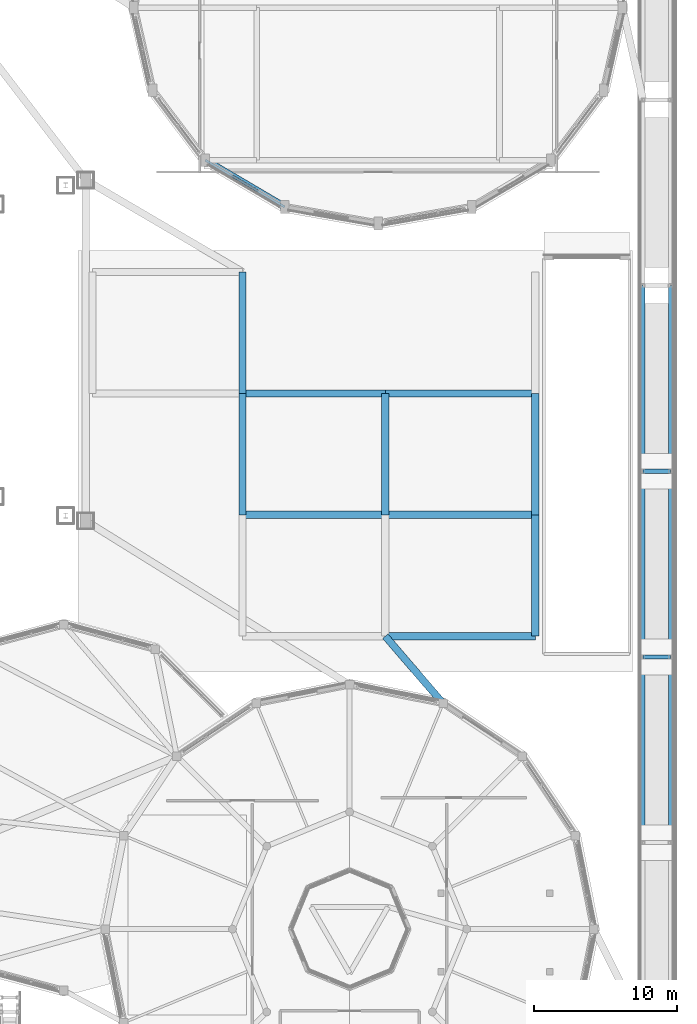
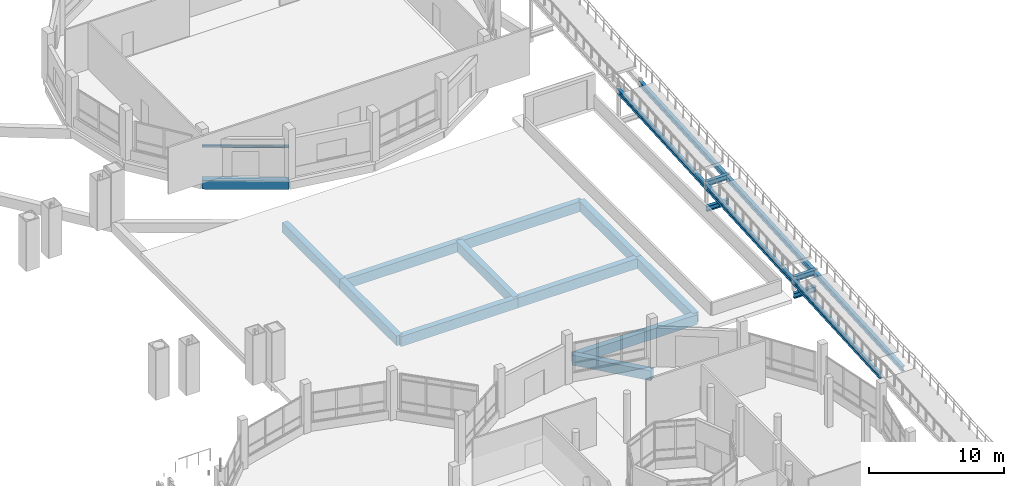
# One storey, part 86 of 129: 23 beams.
"""IFC4 building model written with IfcOpenShell, lengths in metres."""

from ifc_helpers import new_model, si_unit, direction, frame, origin, origin_2d, place, context, subcontext, project, spatial, rectangle, i_section, extrude, material, material_profile, profile_set, type_object, element, save


model = new_model("IFC4")

# Units and contexts
model_context = context("Model", 3, precision=1e-05, world=origin(), true_north=direction((0.0, 1.0)))
body_context = subcontext(model_context, "Body", "Model", "MODEL_VIEW")
ifc_project = project(units=[si_unit("LENGTHUNIT", "METRE"), si_unit("AREAUNIT", "SQUARE_METRE"), si_unit("VOLUMEUNIT", "CUBIC_METRE"), si_unit("PLANEANGLEUNIT", "RADIAN"), si_unit("MASSUNIT", "GRAM", prefix="KILO")], contexts=[model_context])

# Site, building, storey
site_placement = place(None, origin())
site = spatial("IfcSite", under=ifc_project, at=site_placement, CompositionType="ELEMENT")
building_placement = place(site_placement, origin())
building = spatial("IfcBuilding", under=site, at=building_placement, Name="Vespera Passage Community Centre", CompositionType="ELEMENT")
storey_placement = place(building_placement, origin())
storey = spatial("IfcBuildingStorey", under=building, at=storey_placement, Name="L00", CompositionType="ELEMENT", Elevation=0.0)

# Beams
ifc_material_1 = material(Name="Concrete f'c 45 MPa", Category="concrete")
ifc_material_profile_1 = material_profile(ifc_material_1, rectangle(XDim=0.5, YDim=0.89990234375, at=origin_2d()), Name="RC500X900")
ifc_profile_set_1 = profile_set([ifc_material_profile_1], Name="Concrete f'c 45 MPa")
beam_type_1 = type_object("IfcBeamType", Name="BM-G-500X900", PredefinedType="BEAM", material=ifc_profile_set_1)
beam_1_placement = place(storey_placement, frame((133.5, 54.0, -0.7900390625), z_axis=(0.0, 1.0, 0.0), x_axis=(-1.0, 0.0, 0.0)))
element("IfcBeam", 1, at=beam_1_placement, inside=storey, type_object=beam_type_1, Name="B1 Car Park Deck Girder GAR-C22-GAR-C23", PredefinedType="BEAM", context=body_context, shape_type="SweptSolid", body=[
    extrude(rectangle(XDim=0.5, YDim=0.89990234375, at=origin_2d()), origin(), (0.0, 0.0, 1.0), 8.5),
])
beam_2_placement = place(storey_placement, frame((133.5, 54.0, -0.7900390625), z_axis=(1.0, 0.0, 0.0), x_axis=(0.0, 1.0, 0.0)))
element("IfcBeam", 2, at=beam_2_placement, inside=storey, type_object=beam_type_1, Name="B1 Car Park Deck Girder GAR-C22-GAR-C32", PredefinedType="BEAM", context=body_context, shape_type="SweptSolid", body=[
    extrude(rectangle(XDim=0.5, YDim=0.89990234375, at=origin_2d()), origin(), (0.0, 0.0, 1.0), 10.0),
])
beam_3_placement = place(storey_placement, frame((133.5, 62.5, -0.7900390625), z_axis=(0.0, 1.0, 0.0), x_axis=(-1.0, 0.0, 0.0)))
element("IfcBeam", 3, at=beam_3_placement, inside=storey, type_object=beam_type_1, Name="B1 Car Park Deck Girder GAR-C23-GAR-C24", PredefinedType="BEAM", context=body_context, shape_type="SweptSolid", body=[
    extrude(rectangle(XDim=0.5, YDim=0.89990234375, at=origin_2d()), origin(), (0.0, 0.0, 1.0), 8.5),
])
beam_4_placement = place(storey_placement, frame((133.5, 62.5, -0.7900390625), z_axis=(1.0, 0.0, 0.0), x_axis=(0.0, 1.0, 0.0)))
element("IfcBeam", 4, at=beam_4_placement, inside=storey, type_object=beam_type_1, Name="B1 Car Park Deck Girder GAR-C23-GAR-C33", PredefinedType="BEAM", context=body_context, shape_type="SweptSolid", body=[
    extrude(rectangle(XDim=0.5, YDim=0.89990234375, at=origin_2d()), origin(), (0.0, 0.0, 1.0), 10.0),
])
beam_5_placement = place(storey_placement, frame((143.5, 45.5, -0.7900390625), z_axis=(1.0, 0.0, 0.0), x_axis=(0.0, 1.0, 0.0)))
element("IfcBeam", 5, at=beam_5_placement, inside=storey, type_object=beam_type_1, Name="B1 Car Park Deck Girder GAR-C31-GAR-C41", PredefinedType="BEAM", context=body_context, shape_type="SweptSolid", body=[
    extrude(rectangle(XDim=0.5, YDim=0.89990234375, at=origin_2d()), origin(), (0.0, 0.0, 1.0), 10.5),
])
beam_6_placement = place(storey_placement, frame((143.5, 54.0, -0.7900390625), z_axis=(0.0, 1.0, 0.0), x_axis=(-1.0, 0.0, 0.0)))
element("IfcBeam", 6, at=beam_6_placement, inside=storey, type_object=beam_type_1, Name="B1 Car Park Deck Girder GAR-C32-GAR-C33", PredefinedType="BEAM", context=body_context, shape_type="SweptSolid", body=[
    extrude(rectangle(XDim=0.5, YDim=0.89990234375, at=origin_2d()), origin(), (0.0, 0.0, 1.0), 8.5),
])
for number, where, z_axis, x_axis, name in (
    (7, (143.5, 54.0, -0.7900390625), (1.0, 0.0, 0.0), (0.0, 1.0, 0.0), "B1 Car Park Deck Girder GAR-C32-GAR-C42"),
    (8, (143.5, 62.5, -0.7900390625), (1.0, 0.0, 0.0), (0.0, 1.0, 0.0), "B1 Car Park Deck Girder GAR-C33-GAR-C43"),
):
    element("IfcBeam", number, at=place(storey_placement, frame(where, z_axis=z_axis, x_axis=x_axis)), inside=storey, type_object=beam_type_1, Name=name, PredefinedType="BEAM", context=body_context, shape_type="SweptSolid", body=[
        extrude(rectangle(XDim=0.5, YDim=0.89990234375, at=origin_2d()), origin(), (0.0, 0.0, 1.0), 10.5),
    ])
for number, where, z_axis, x_axis, name in (
    (9, (154.0, 45.5, -0.7900390625), (0.0, 1.0, 0.0), (-1.0, 0.0, 0.0), "B1 Car Park Deck Girder GAR-C41-GAR-C42"),
    (10, (154.0, 54.0, -0.7900390625), (0.0, 1.0, 0.0), (-1.0, 0.0, 0.0), "B1 Car Park Deck Girder GAR-C42-GAR-C43"),
):
    element("IfcBeam", number, at=place(storey_placement, frame(where, z_axis=z_axis, x_axis=x_axis)), inside=storey, type_object=beam_type_1, Name=name, PredefinedType="BEAM", context=body_context, shape_type="SweptSolid", body=[
        extrude(rectangle(XDim=0.5, YDim=0.89990234375, at=origin_2d()), origin(), (0.0, 0.0, 1.0), 8.5),
    ])
beam_7_placement = place(storey_placement, frame((147.5439453125, 40.79833984375, -0.7900390625), z_axis=(-0.652087243844, 0.758143935157, 0.0), x_axis=(-0.758143935157, -0.652087243844, 0.0)))
element("IfcBeam", 11, at=beam_7_placement, inside=storey, type_object=beam_type_1, Name="Subgrade Structural Tie Girder 15", PredefinedType="BEAM", context=body_context, shape_type="SweptSolid", body=[
    extrude(rectangle(XDim=0.5, YDim=0.89990234375, at=origin_2d()), origin(), (0.0, 0.0, 1.0), 6.20166015625),
])
ifc_material_2 = material(Name="Steel ASTM A992 Grade 50", Category="steel")
ifc_material_profile_2 = material_profile(ifc_material_2, i_section(OverallWidth=0.1650390625, OverallDepth=0.201416015625, WebThickness=0.006103515625, FlangeThickness=0.01025390625, FilletRadius=0.01025390625, at=origin_2d()), Name="W8X24")
ifc_profile_set_2 = profile_set([ifc_material_profile_2], Name="Steel ASTM A992 Grade 50")
beam_type_2 = type_object("IfcBeamType", Name="BM-LN-W8X24E", PredefinedType="LINTEL", material=ifc_profile_set_2)
beam_8_placement = place(storey_placement, frame((136.4560546875, 75.54931640625, 2.679931640625), z_axis=(-0.861245535965, 0.508189065978, 0.0), x_axis=(-0.508189065978, -0.861245535965, 0.0)))
element("IfcBeam", 12, at=beam_8_placement, inside=storey, type_object=beam_type_2, Name="Sports Exit Canopy Lintel 11", PredefinedType="LINTEL", context=body_context, shape_type="SweptSolid", body=[
    extrude(i_section(OverallWidth=0.1650390625, OverallDepth=0.201416015625, WebThickness=0.006103515625, FlangeThickness=0.01025390625, FilletRadius=0.01025390625, at=origin_2d()), origin(), (0.0, 0.0, 1.0), 6.44140625),
])
ifc_material_3 = material(Name="Steel ASTM A992 Grade 50", Category="steel")
ifc_material_profile_3 = material_profile(ifc_material_3, i_section(OverallWidth=0.280517578125, OverallDepth=0.46240234375, WebThickness=0.0107421875, FlangeThickness=0.017333984375, FilletRadius=0.01025390625, at=origin_2d()), Name="W18X76")
ifc_profile_set_3 = profile_set([ifc_material_profile_3], Name="Steel ASTM A992 Grade 50")
beam_type_3 = type_object("IfcBeamType", Name="BM-RB-W18X76E", PredefinedType="SPANDREL", material=ifc_profile_set_3)
for number, where, z_axis, x_axis, name in (
    (13, (161.550048828125, 44.050048828125, -0.52001953125), (1.0, 0.0, 0.0), (0.0, 1.0, 0.0), "Bridge Pier Grade Tie 3"),
    (14, (161.550048828125, 44.050048828125, 1.0087890625), (1.0, 0.0, 0.0), (0.0, 1.0, 0.0), "Bridge Pier Cap 3"),
    (15, (161.550048828125, 57.050048828125, -0.52001953125), (1.0, 0.0, 0.0), (0.0, 1.0, 0.0), "Bridge Pier Grade Tie 4"),
    (16, (161.550048828125, 57.050048828125, 1.7587890625), (1.0, 0.0, 0.0), (0.0, 1.0, 0.0), "Bridge Pier Cap 4"),
):
    element("IfcBeam", number, at=place(storey_placement, frame(where, z_axis=z_axis, x_axis=x_axis)), inside=storey, type_object=beam_type_3, Name=name, PredefinedType="SPANDREL", context=body_context, shape_type="SweptSolid", body=[
        extrude(i_section(OverallWidth=0.280517578125, OverallDepth=0.46240234375, WebThickness=0.0107421875, FlangeThickness=0.017333984375, FilletRadius=0.01025390625, at=origin_2d()), origin(), (0.0, 0.0, 1.0), 1.89990234375),
    ])
for number, where, z_axis, x_axis, name in (
    (17, (161.550048828125, 31.050048828125, 0.038818359375), (0.0, 0.998339941676, 0.057596535097), (-1.0, 0.0, 0.0), "Bridge Raker 2.1"),
    (18, (163.449951171875, 31.050048828125, 0.038818359375), (0.0, 0.998339941676, 0.057596535097), (-1.0, 0.0, 0.0), "Bridge Raker 2.2"),
    (19, (161.550048828125, 44.050048828125, 0.788818359375), (0.0, 0.998339941676, 0.057596535097), (-1.0, 0.0, 0.0), "Bridge Raker 3.1"),
    (20, (163.449951171875, 44.050048828125, 0.788818359375), (0.0, 0.998339941676, 0.057596535097), (-1.0, 0.0, 0.0), "Bridge Raker 3.2"),
    (21, (161.550048828125, 57.050048828125, 1.538818359375), (0.0, 0.998339941676, 0.057596535097), (-1.0, 0.0, 0.0), "Bridge Raker 4.1"),
    (22, (163.449951171875, 57.050048828125, 1.538818359375), (0.0, 0.998339941676, 0.057596535097), (-1.0, 0.0, 0.0), "Bridge Raker 4.2"),
):
    element("IfcBeam", number, at=place(storey_placement, frame(where, z_axis=z_axis, x_axis=x_axis)), inside=storey, type_object=beam_type_3, Name=name, PredefinedType="SPANDREL", context=body_context, shape_type="SweptSolid", body=[
        extrude(i_section(OverallWidth=0.280517578125, OverallDepth=0.46240234375, WebThickness=0.0107421875, FlangeThickness=0.017333984375, FilletRadius=0.01025390625, at=origin_2d()), origin(), (0.0, 0.0, 1.0), 13.021728515625),
    ])
ifc_material_4 = material(Name="Concrete f'c 35 MPa", Category="concrete")
ifc_material_profile_4 = material_profile(ifc_material_4, rectangle(XDim=0.5, YDim=0.800048828125, at=origin_2d()), Name="RC500X800")
ifc_profile_set_4 = profile_set([ifc_material_profile_4], Name="Concrete f'c 35 MPa")
beam_type_4 = type_object("IfcBeamType", Name="BM-SP-500X800E", PredefinedType="SPANDREL", material=ifc_profile_set_4)
beam_9_placement = place(storey_placement, frame((130.908447265625, 78.82275390625, -0.679931640625), z_axis=(0.861245535965, -0.508189065978, 0.0), x_axis=(0.508189065978, 0.861245535965, 0.0)))
element("IfcBeam", 23, at=beam_9_placement, inside=storey, type_object=beam_type_4, Name="V2 L00 Perimeter Spandrel 11", PredefinedType="SPANDREL", context=body_context, shape_type="SweptSolid", body=[
    extrude(rectangle(XDim=0.5, YDim=0.800048828125, at=origin_2d()), origin(), (0.0, 0.0, 1.0), 6.44140625),
])

save(model, "model.ifc")
